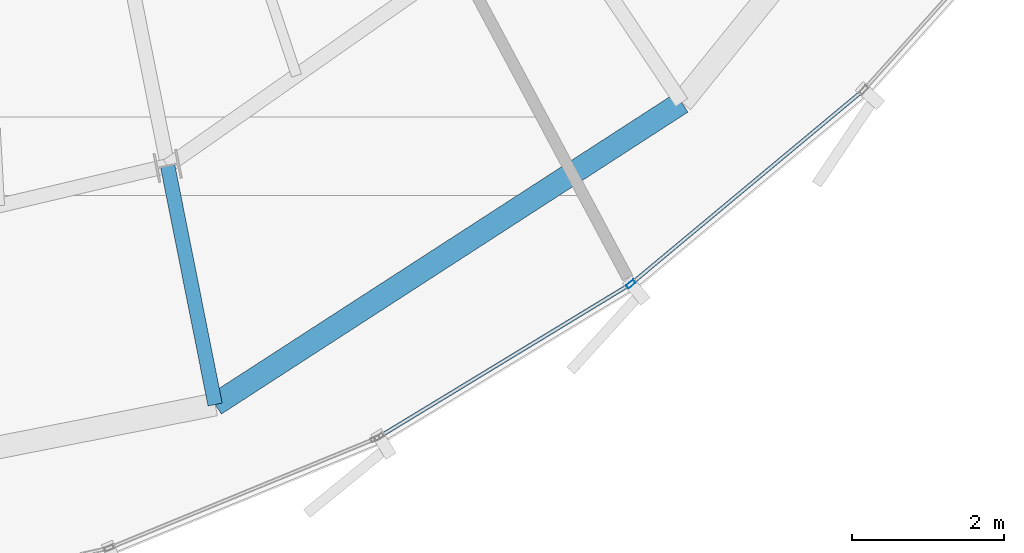
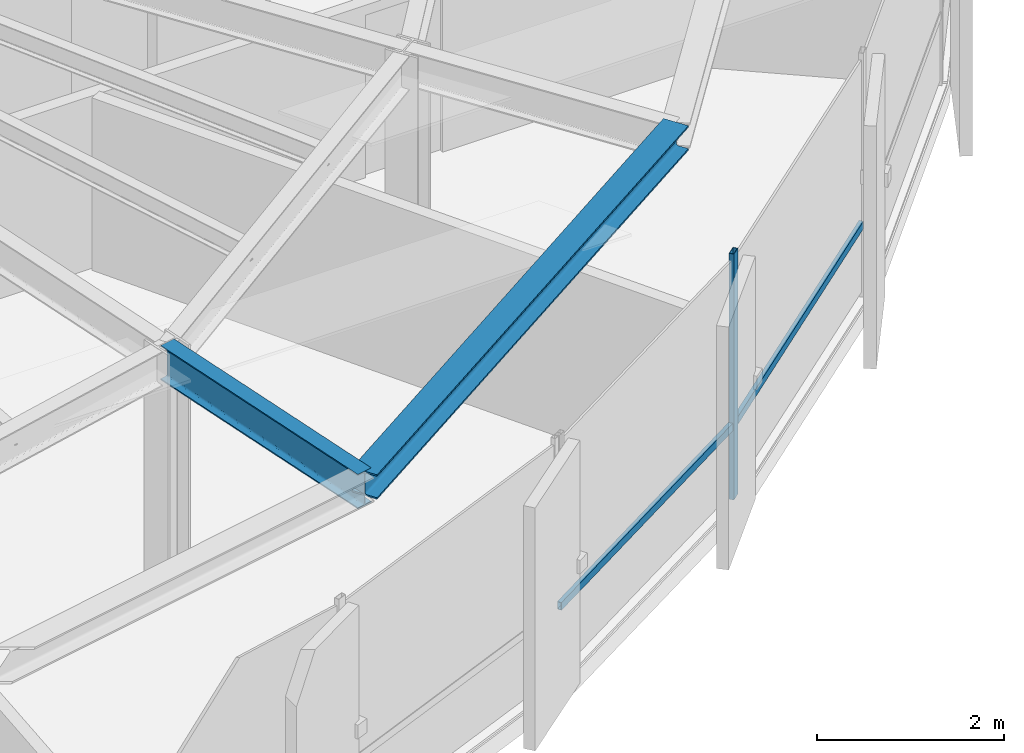
# One storey, part 7 of 35: 3 members, 2 beams, 1 element without a shape of its own.
"""IFC4 building model written with IfcOpenShell, lengths in metres."""

import ifcopenshell
import ifcopenshell.guid

model = None  # the IFC model being written
_history = None  # IfcOwnerHistory: only IFC2X3 demands one
_inside = {}  # id of a spatial element -> (the spatial element, [elements in it])
_under = {}  # id of a project, library or spatial element -> (it, [spatial elements below it])
_declared = {}  # id of a project -> (the project, [libraries it declares])
_typed = {}  # id of a type object -> (the type object, [elements of that type])
_made_of = {}  # id of a material, layer set ... -> (it, [elements and type objects made of it])


def new_model(schema):
    """Start an empty IFC model of exactly this schema.

    Asked for "IFC4X3", IfcOpenShell would pick the latest addendum, in which some entities
    have other attributes; the version numbers below select the first issue.
    IFC2X3 requires an IfcOwnerHistory on every rooted entity: one is made here for all.
    """
    global model, _history
    if schema == "IFC4X3":
        model = ifcopenshell.file(schema_version=(4, 3, 0, 0))
    else:
        model = ifcopenshell.file(schema=schema)
    _inside.clear()
    _under.clear()
    _declared.clear()
    _typed.clear()
    _made_of.clear()
    _history = None
    if model.schema == "IFC2X3":
        org = make("IfcOrganization", Name="unknown")
        user = make(
            "IfcPersonAndOrganization",
            ThePerson=make("IfcPerson", FamilyName="unknown"),
            TheOrganization=org,
        )
        app = make(
            "IfcApplication",
            ApplicationDeveloper=org,
            Version="unknown",
            ApplicationFullName="unknown",
            ApplicationIdentifier="unknown",
        )
        _history = make(
            "IfcOwnerHistory",
            OwningUser=user,
            OwningApplication=app,
            ChangeAction="ADDED",
            CreationDate=0,
        )
    return model


def make(cls, **values):
    """One entity of the class cls with the attributes given. An attribute that is None is left unset."""
    return model.create_entity(
        cls, **{name: value for name, value in values.items() if value is not None}
    )


def rooted(cls, **values):
    """An entity with a GlobalId (a new one), such as an element, a storey or a relation."""
    return make(cls, GlobalId=ifcopenshell.guid.new(), OwnerHistory=_history, **values)


def si_unit(unit_type, name, prefix=None):
    """IfcSIUnit, for example si_unit("LENGTHUNIT", "METRE", prefix="MILLI")."""
    return make("IfcSIUnit", UnitType=unit_type, Prefix=prefix, Name=name)


def assignment(units):
    """IfcUnitAssignment: the units of a project."""
    return None if units is None else make("IfcUnitAssignment", Units=units)


def point(xyz):
    """IfcCartesianPoint."""
    return None if xyz is None else make("IfcCartesianPoint", Coordinates=xyz)


def direction(xyz):
    """IfcDirection."""
    return None if xyz is None else make("IfcDirection", DirectionRatios=xyz)


def frame(location, z_axis=None, x_axis=None):
    """IfcAxis2Placement3D, a coordinate frame: its origin and axes. An axis left out is left unset."""
    return make(
        "IfcAxis2Placement3D",
        Location=point(location),
        Axis=direction(z_axis),
        RefDirection=direction(x_axis),
    )


def frame_2d(location, x_axis=None):
    """IfcAxis2Placement2D, a coordinate frame in the plane: its origin and x axis."""
    return make(
        "IfcAxis2Placement2D", Location=point(location), RefDirection=direction(x_axis)
    )


def origin():
    """The frame at (0, 0, 0) with its axes left unset."""
    return frame((0.0, 0.0, 0.0))


def origin_2d():
    """The frame at (0, 0) in the plane with its x axis left unset."""
    return frame_2d((0.0, 0.0))


def place(relative_to, where):
    """IfcLocalPlacement: puts the frame where relative to a parent placement (None: the world)."""
    return make(
        "IfcLocalPlacement", PlacementRelTo=relative_to, RelativePlacement=where
    )


def context(
    kind, dimensions, precision=None, world=None, true_north=None, identifier=None
):
    """IfcGeometricRepresentationContext, for example the 3D "Model" context."""
    return make(
        "IfcGeometricRepresentationContext",
        ContextIdentifier=identifier,
        ContextType=kind,
        CoordinateSpaceDimension=dimensions,
        Precision=precision,
        WorldCoordinateSystem=world,
        TrueNorth=true_north,
    )


def subcontext(parent, identifier, kind, view, scale=None):
    """IfcGeometricRepresentationSubContext, for example "Body" below "Model"."""
    return make(
        "IfcGeometricRepresentationSubContext",
        ContextIdentifier=identifier,
        ContextType=kind,
        ParentContext=parent,
        TargetScale=scale,
        TargetView=view,
    )


def project(units=None, contexts=None):
    """IfcProject with its units and contexts."""
    return rooted(
        "IfcProject",
        Name="project",
        RepresentationContexts=contexts,
        UnitsInContext=assignment(units),
    )


def spatial(cls, under=None, at=None, **own):
    """A site, building, storey or space (cls), placed at a placement, below another one or the project."""
    s = rooted(cls, ObjectPlacement=at, **own)
    if under is not None:
        _under.setdefault(under.id(), (under, []))[1].append(s)
    return s


def profile(cls, at=None, kind="AREA", **sizes):
    """A parametric profile (cls). Its sizes go by their IFC names, for example OverallWidth=200.0."""
    return make(cls, ProfileType=kind, Position=at, **sizes)


def hollow_rectangle(**sizes):
    """IfcRectangleHollowProfileDef."""
    return profile("IfcRectangleHollowProfileDef", **sizes)


def i_section(**sizes):
    """IfcIShapeProfileDef."""
    return profile("IfcIShapeProfileDef", **sizes)


def extrude(swept, where, along, depth):
    """IfcExtrudedAreaSolid: the profile swept, set in the frame where, extruded along a direction by depth."""
    return make(
        "IfcExtrudedAreaSolid",
        SweptArea=swept,
        Position=where,
        ExtrudedDirection=direction(along),
        Depth=depth,
    )


def shape(context_of_items, identifier, shape_type, items):
    """IfcShapeRepresentation: the items that make up one representation, for example the "Body"."""
    return make(
        "IfcShapeRepresentation",
        ContextOfItems=context_of_items,
        RepresentationIdentifier=identifier,
        RepresentationType=shape_type,
        Items=items,
    )


def source(mapping_origin, context_of_items, identifier, shape_type, items):
    """IfcRepresentationMap: a shape defined once, which mapped items show again and again."""
    return make(
        "IfcRepresentationMap",
        MappingOrigin=mapping_origin,
        MappedRepresentation=shape(context_of_items, identifier, shape_type, items),
    )


def transform(
    local_origin,
    x_axis=None,
    y_axis=None,
    z_axis=None,
    scale=None,
    scale2=None,
    scale3=None,
    uniform=True,
):
    """IfcCartesianTransformationOperator3D, or its non-uniform kind. x_axis, y_axis, z_axis: its Axis1, 2, 3."""
    if uniform:
        return make(
            "IfcCartesianTransformationOperator3D",
            Axis1=direction(x_axis),
            Axis2=direction(y_axis),
            LocalOrigin=point(local_origin),
            Scale=scale,
            Axis3=direction(z_axis),
        )
    return make(
        "IfcCartesianTransformationOperator3DnonUniform",
        Axis1=direction(x_axis),
        Axis2=direction(y_axis),
        LocalOrigin=point(local_origin),
        Scale=scale,
        Axis3=direction(z_axis),
        Scale2=scale2,
        Scale3=scale3,
    )


def mapped(mapping_source, mapping_target):
    """IfcMappedItem: shows the shape of a source again, moved by a transform."""
    return make(
        "IfcMappedItem", MappingSource=mapping_source, MappingTarget=mapping_target
    )


def material(Name=None, Category=None):
    """IfcMaterial."""
    return make("IfcMaterial", Name=Name, Category=Category)


def layer(
    of_material, thickness, ventilated=None, Name=None, Category=None, Priority=None
):
    """IfcMaterialLayer: one layer of a wall or slab, of a material (None: an air gap)."""
    return make(
        "IfcMaterialLayer",
        Material=of_material,
        LayerThickness=thickness,
        IsVentilated=ventilated,
        Name=Name,
        Category=Category,
        Priority=Priority,
    )


def layer_set(layers, Name=None):
    """IfcMaterialLayerSet."""
    return make("IfcMaterialLayerSet", MaterialLayers=layers, LayerSetName=Name)


def material_profile(
    of_material, cross_section, Name=None, Category=None, Priority=None
):
    """IfcMaterialProfile: a cross section and its material."""
    return make(
        "IfcMaterialProfile",
        Name=Name,
        Material=of_material,
        Profile=cross_section,
        Priority=Priority,
        Category=Category,
    )


def profile_set(profiles, Name=None, composite=None):
    """IfcMaterialProfileSet."""
    return make(
        "IfcMaterialProfileSet",
        Name=Name,
        MaterialProfiles=profiles,
        CompositeProfile=composite,
    )


def made_of(thing, what):
    """Note that an element or type object is made of a material, layer set ...; save() writes the relation."""
    if what is not None:
        _made_of.setdefault(what.id(), (what, []))[1].append(thing)
    return thing


def type_object(cls, material=None, **own):
    """A type object (cls), such as IfcWallType, which elements share."""
    return made_of(rooted(cls, **own), material)


def element(
    cls,
    number,
    at=None,
    inside=None,
    cuts=None,
    type_object=None,
    material=None,
    context=None,
    identifier="Body",
    shape_type=None,
    held_by="IfcProductDefinitionShape",
    body=None,
    shapes=None,
    **own,
):
    """One element of the class cls, such as IfcWall. Its Tag is "e" and its number.

    at: its placement. inside: the storey or other place that contains it. cuts: it is an
    opening in that element (IfcRelVoidsElement). A single representation is given by context,
    identifier, shape_type and body (its items); several are given by shapes. held_by: the class
    of the entity that holds the representations. save() writes the other relations.
    """
    e = rooted(cls, Tag="e%d" % number, ObjectPlacement=at, **own)
    if body is not None:
        shapes = [shape(context, identifier, shape_type, body)]
    if shapes is not None:
        e.Representation = make(held_by, Representations=shapes)
    if inside is not None:
        _inside.setdefault(inside.id(), (inside, []))[1].append(e)
    if cuts is not None:
        rooted(
            "IfcRelVoidsElement", RelatingBuildingElement=cuts, RelatedOpeningElement=e
        )
    if type_object is not None:
        _typed.setdefault(type_object.id(), (type_object, []))[1].append(e)
    return made_of(e, material)


def aggregate(whole, parts):
    """IfcRelAggregates: a whole, such as a stair, and the parts it consists of."""
    return rooted("IfcRelAggregates", RelatingObject=whole, RelatedObjects=parts)


def save(model, path):
    """Write the relations noted so far, then the file.

    IfcRelAggregates (storeys below a building ...), IfcRelContainedInSpatialStructure (elements
    in a storey), IfcRelDefinesByType, IfcRelAssociatesMaterial and IfcRelDeclares: one each for
    every whole, place, type object, material and project.
    """
    for whole, parts in _under.values():
        aggregate(whole, parts)
    for where, things in _inside.values():
        rooted(
            "IfcRelContainedInSpatialStructure",
            RelatedElements=things,
            RelatingStructure=where,
        )
    for kind, things in _typed.values():
        rooted("IfcRelDefinesByType", RelatedObjects=things, RelatingType=kind)
    for what, things in _made_of.values():
        rooted("IfcRelAssociatesMaterial", RelatedObjects=things, RelatingMaterial=what)
    for by, libraries in _declared.values():
        rooted("IfcRelDeclares", RelatingContext=by, RelatedDefinitions=libraries)
    model.write(path)


model = new_model("IFC4")

# Units and contexts
model_context = context("Model", 3, precision=1e-05, world=origin(), true_north=direction((0.0, 1.0)))
body_context = subcontext(model_context, "Body", "Model", "MODEL_VIEW")
ifc_project = project(units=[si_unit("LENGTHUNIT", "METRE"), si_unit("AREAUNIT", "SQUARE_METRE"), si_unit("VOLUMEUNIT", "CUBIC_METRE"), si_unit("PLANEANGLEUNIT", "RADIAN"), si_unit("MASSUNIT", "GRAM", prefix="KILO"), si_unit("THERMODYNAMICTEMPERATUREUNIT", "KELVIN")], contexts=[model_context])

# Site, building, storey
site_placement = place(None, origin())
site = spatial("IfcSite", under=ifc_project, at=site_placement, CompositionType="ELEMENT")
building_placement = place(site_placement, origin())
building = spatial("IfcBuilding", under=site, at=building_placement, Name="Kethvar Cultural Tower", CompositionType="ELEMENT")
storey_placement = place(building_placement, frame((0.0, 0.0, 245.64990234375)))
storey = spatial("IfcBuildingStorey", under=building, at=storey_placement, Name="L64", CompositionType="ELEMENT", Elevation=245.64990234375)

# Beams
ifc_material_1 = material(Name="Steel S355J2", Category="steel")
ifc_material_profile_1 = material_profile(ifc_material_1, i_section(OverallWidth=0.18994140625, OverallDepth=0.449951171875, WebThickness=0.009521484375, FlangeThickness=0.0146484375, FilletRadius=0.02099609375, at=origin_2d()), Name="Steel S355J2 — IPE450")
ifc_profile_set_1 = profile_set([ifc_material_profile_1], Name="Steel S355J2 — IPE450")
beam_type_1 = type_object("IfcBeamType", Name="BM-IPE450", PredefinedType="BEAM", material=ifc_profile_set_1)
shared_shape_1 = source(origin(), body_context, "Body", "SweptSolid", [
    extrude(i_section(OverallWidth=0.18994140625, OverallDepth=0.449951171875, WebThickness=0.009521484375, FlangeThickness=0.0146484375, FilletRadius=0.02099609375, at=origin_2d()), origin(), (0.0, 0.0, 1.0), 3.199951171875),
])
beam_1_placement = place(storey_placement, frame((49.901611328125, 12.206787109375, 2.983154296875), z_axis=(0.195088965533, -0.980785550224, 0.0), x_axis=(0.980785550224, 0.195088965533, 0.0)))
element("IfcBeam", 1, at=beam_1_placement, inside=storey, type_object=beam_type_1, Name="L64 Perimeter Cantilever Beam RC-13", PredefinedType="BEAM", context=body_context, shape_type="MappedRepresentation", body=[
    mapped(shared_shape_1, transform((0.0, 0.0, 0.0), scale=1.0)),
])
ifc_material_profile_2 = material_profile(ifc_material_1, i_section(OverallWidth=0.300048828125, OverallDepth=0.320068359375, WebThickness=0.011474609375, FlangeThickness=0.0205078125, FilletRadius=0.027099609375, at=origin_2d()), Name="Steel S355J2 — HEB320")
ifc_profile_set_2 = profile_set([ifc_material_profile_2], Name="Steel S355J2 — HEB320")
beam_type_2 = type_object("IfcBeamType", Name="BM-SP320", PredefinedType="SPANDREL", material=ifc_profile_set_2)
shared_shape_2 = source(origin(), body_context, "Body", "SweptSolid", [
    extrude(i_section(OverallWidth=0.300048828125, OverallDepth=0.320068359375, WebThickness=0.011474609375, FlangeThickness=0.0205078125, FilletRadius=0.027099609375, at=origin_2d()), origin(), (0.0, 0.0, 1.0), 7.309326171875),
])
beam_2_placement = place(storey_placement, frame((50.52587890625, 9.068359375, 3.048095703125), z_axis=(0.839562091992, 0.543263742292, 0.0), x_axis=(-0.543263742292, 0.839562091992, 0.0)))
element("IfcBeam", 2, at=beam_2_placement, inside=storey, type_object=beam_type_2, Name="L64 Perimeter Spandrel Beam SP-13", PredefinedType="SPANDREL", context=body_context, shape_type="MappedRepresentation", body=[
    mapped(shared_shape_2, transform((0.0, 0.0, 0.0), scale=1.0)),
])

# Curtain wall, members
ifc_material_2 = material(Name="Aluminium 6063-T6", Category="aluminium")
ifc_layer = layer(ifc_material_2, 0.179931640625, Name="Aluminium 6063-T6", Category="aluminium")
ifc_layer_set = layer_set([ifc_layer], Name="Aluminium 6063-T6 (180 mm)")
curtain_wall_type = type_object("IfcCurtainWallType", Name="CW-SYS-05-Z56", PredefinedType="NOTDEFINED", material=ifc_layer_set)
curtain_wall_placement = place(storey_placement, origin())
curtain_wall = element("IfcCurtainWall", 3, at=curtain_wall_placement, inside=storey, type_object=curtain_wall_type, Name="L64 Curtain Wall Run 05", PredefinedType="NOTDEFINED")
ifc_material_profile_3 = material_profile(ifc_material_2, hollow_rectangle(XDim=0.054931640625, YDim=0.1201171875, WallThickness=0.00390625, at=origin_2d()), Name="Aluminium 6063-T6 — RHS120x55x4")
ifc_profile_set_3 = profile_set([ifc_material_profile_3], Name="Aluminium 6063-T6 — RHS120x55x4")
member_type_1 = type_object("IfcMemberType", Name="CW-SYS-05-Z56-MUL", PredefinedType="MULLION", material=ifc_profile_set_3)
shared_shape_3 = source(origin(), body_context, "Body", "SweptSolid", [
    extrude(hollow_rectangle(XDim=0.054931640625, YDim=0.1201171875, WallThickness=0.00390625, at=origin_2d()), origin(), (0.0, 0.0, 1.0), 3.210205078125),
])
member_1_placement = place(storey_placement, frame((55.993896484375, 10.653564453125, 0.0), z_axis=(0.0, 0.0, 1.0), x_axis=(-0.64027059437, 0.768149442482, 0.0)))
member_1 = element("IfcMember", 4, at=member_1_placement, type_object=member_type_1, Name="CW-L64-R05 Mullion 2", PredefinedType="MULLION", context=body_context, shape_type="MappedRepresentation", body=[
    mapped(shared_shape_3, transform((0.0, 0.0, 0.0), scale=1.0)),
])
ifc_material_profile_4 = material_profile(ifc_material_2, hollow_rectangle(XDim=0.050048828125, YDim=0.10009765625, WallThickness=0.00390625, at=origin_2d()), Name="Aluminium 6063-T6 — RHS100x50x4")
ifc_profile_set_4 = profile_set([ifc_material_profile_4], Name="Aluminium 6063-T6 — RHS100x50x4")
member_type_2 = type_object("IfcMemberType", Name="CW-SYS-05-Z56-TRN", PredefinedType="USERDEFINED", material=ifc_profile_set_4)
shared_shape_4 = source(origin(), body_context, "Body", "SweptSolid", [
    extrude(hollow_rectangle(XDim=0.050048828125, YDim=0.10009765625, WallThickness=0.00390625, at=origin_2d()), origin(), (0.0, 0.0, 1.0), 3.844482421875),
])
member_2_placement = place(storey_placement, frame((52.6865234375, 8.6455078125, 0.9501953125), z_axis=(0.854644612327, 0.519213430702, 0.0), x_axis=(-0.519213430702, 0.854644612327, 0.0)))
member_2 = element("IfcMember", 5, at=member_2_placement, type_object=member_type_2, Name="CW-L64-R05 Transom 1", ObjectType="TRANSOM", PredefinedType="USERDEFINED", context=body_context, shape_type="MappedRepresentation", body=[
    mapped(shared_shape_4, transform((0.0, 0.0, 0.0), scale=1.0)),
])
shared_shape_5 = source(origin(), body_context, "Body", "SweptSolid", [
    extrude(hollow_rectangle(XDim=0.050048828125, YDim=0.10009765625, WallThickness=0.00390625, at=origin_2d()), origin(), (0.0, 0.0, 1.0), 3.920166015625),
])
member_3_placement = place(storey_placement, frame((56.0244140625, 10.678955078125, 0.9501953125), z_axis=(0.768139596988, 0.640282406083, 0.0), x_axis=(-0.640282406083, 0.768139596988, 0.0)))
member_3 = element("IfcMember", 6, at=member_3_placement, type_object=member_type_2, Name="CW-L64-R05 Transom 2", ObjectType="TRANSOM", PredefinedType="USERDEFINED", context=body_context, shape_type="MappedRepresentation", body=[
    mapped(shared_shape_5, transform((0.0, 0.0, 0.0), scale=1.0)),
])
aggregate(curtain_wall, [member_1, member_2, member_3])

save(model, "model.ifc")
